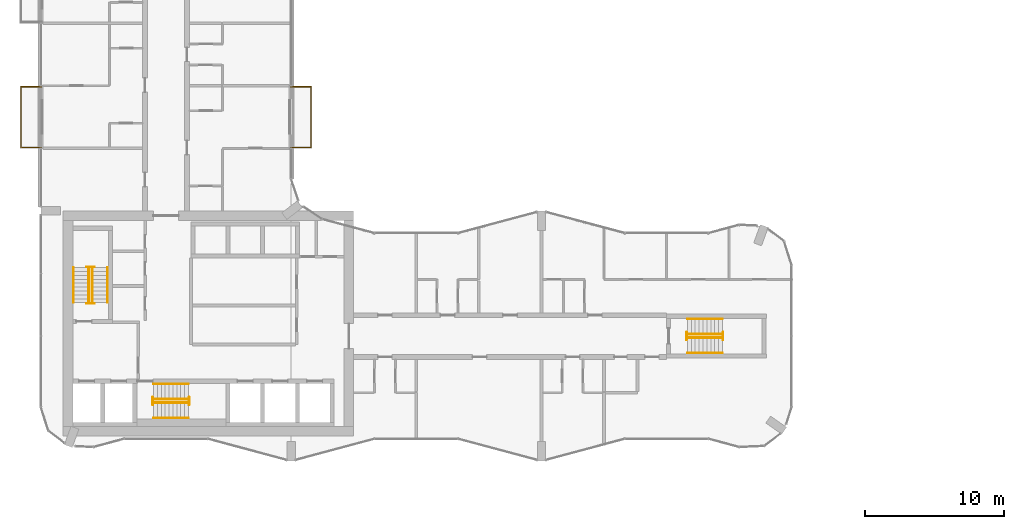
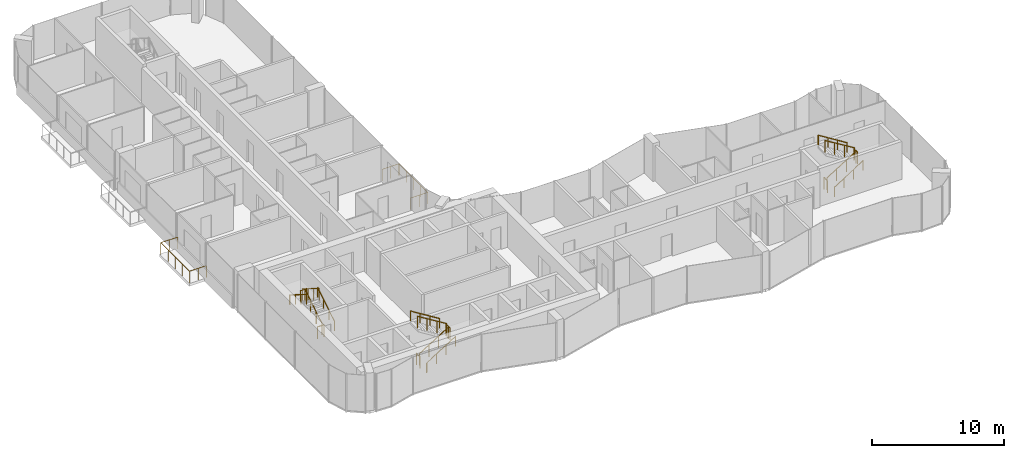
# One storey, part 20 of 22: 20 railings.
"""IFC4 building model written with IfcOpenShell, lengths in metres."""

from ifc_helpers import new_model, si_unit, direction, frame, origin, origin_2d, place, context, subcontext, project, spatial, circle, extrude, material, type_object, element, save


model = new_model("IFC4")

# Units and contexts
model_context = context("Model", 3, precision=1e-05, world=origin(), true_north=direction((0.0, 1.0)))
body_context = subcontext(model_context, "Body", "Model", "MODEL_VIEW")
ifc_project = project(units=[si_unit("LENGTHUNIT", "METRE"), si_unit("AREAUNIT", "SQUARE_METRE"), si_unit("VOLUMEUNIT", "CUBIC_METRE"), si_unit("PLANEANGLEUNIT", "RADIAN"), si_unit("MASSUNIT", "GRAM", prefix="KILO")], contexts=[model_context])

# Site, building, storey
site_placement = place(None, origin())
site = spatial("IfcSite", under=ifc_project, at=site_placement, CompositionType="ELEMENT")
building_placement = place(site_placement, origin())
building = spatial("IfcBuilding", under=site, at=building_placement, Name="Plateau Cross Towers", CompositionType="ELEMENT")
storey_placement = place(building_placement, frame((0.0, 0.0, 61.800048828125)))
storey = spatial("IfcBuildingStorey", under=building, at=storey_placement, Name="L15", CompositionType="ELEMENT", Elevation=61.800048828125)

# Railings
ifc_material_1 = material(Name="Stainless steel and toughened glass", Category="steel")
railing_type_1 = type_object("IfcRailingType", Name="Glass balustrade guard 1100", PredefinedType="GUARDRAIL", material=ifc_material_1)
railing_1_placement = place(storey_placement, frame((0.050048828125, 22.570068359375, 0.0)))
element("IfcRailing", 1, at=railing_1_placement, inside=storey, type_object=railing_type_1, Name="Guard guard1", PredefinedType="GUARDRAIL", context=body_context, shape_type="SweptSolid", body=[
    extrude(circle(Radius=0.02392578125, at=origin_2d()), frame((0.0, 0.0, 1.076171875), z_axis=(-1.0, 0.0, 0.0), x_axis=(0.0, -1.0, 0.0)), (0.0, 0.0, 1.0), 1.47998046875),
    extrude(circle(Radius=0.02392578125, at=origin_2d()), frame((-1.47998046875, 0.0, 1.076171875), z_axis=(0.0, 1.0, 0.0), x_axis=(-1.0, 0.0, 0.0)), (0.0, 0.0, 1.0), 4.35986328125),
    extrude(circle(Radius=0.02392578125, at=origin_2d()), frame((-1.47998046875, 4.35986328125, 1.076171875), z_axis=(1.0, 0.0, 0.0), x_axis=(0.0, 1.0, 0.0)), (0.0, 0.0, 1.0), 1.47998046875),
    extrude(circle(Radius=0.02099609375, at=origin_2d()), origin(), (0.0, 0.0, 1.0), 1.052001953125),
    extrude(circle(Radius=0.02099609375, at=origin_2d()), frame((-0.739990234375, 0.0, 0.0)), (0.0, 0.0, 1.0), 1.052001953125),
    extrude(circle(Radius=0.02099609375, at=origin_2d()), frame((-1.47998046875, 0.0, 0.0)), (0.0, 0.0, 1.0), 1.052001953125),
    extrude(circle(Radius=0.02099609375, at=origin_2d()), frame((-1.47998046875, 1.08984375, 0.0)), (0.0, 0.0, 1.0), 1.052001953125),
    extrude(circle(Radius=0.02099609375, at=origin_2d()), frame((-1.47998046875, 2.179931640625, 0.0)), (0.0, 0.0, 1.0), 1.052001953125),
    extrude(circle(Radius=0.02099609375, at=origin_2d()), frame((-1.47998046875, 3.27001953125, 0.0)), (0.0, 0.0, 1.0), 1.052001953125),
    extrude(circle(Radius=0.02099609375, at=origin_2d()), frame((-1.47998046875, 4.35986328125, 0.0)), (0.0, 0.0, 1.0), 1.052001953125),
    extrude(circle(Radius=0.02099609375, at=origin_2d()), frame((-0.739990234375, 4.35986328125, 0.0)), (0.0, 0.0, 1.0), 1.052001953125),
    extrude(circle(Radius=0.02099609375, at=origin_2d()), frame((0.0, 4.35986328125, 0.0)), (0.0, 0.0, 1.0), 1.052001953125),
])
railing_2_placement = place(storey_placement, frame((17.949951171875, 26.929931640625, 0.0)))
element("IfcRailing", 2, at=railing_2_placement, inside=storey, type_object=railing_type_1, Name="Guard guard1", PredefinedType="GUARDRAIL", context=body_context, shape_type="SweptSolid", body=[
    extrude(circle(Radius=0.02392578125, at=origin_2d()), frame((0.0, 0.0, 1.076171875), z_axis=(1.0, 0.0, 0.0), x_axis=(0.0, 1.0, 0.0)), (0.0, 0.0, 1.0), 1.47998046875),
    extrude(circle(Radius=0.02392578125, at=origin_2d()), frame((1.47998046875, 0.0, 1.076171875), z_axis=(0.0, -1.0, 0.0), x_axis=(1.0, 0.0, 0.0)), (0.0, 0.0, 1.0), 4.35986328125),
    extrude(circle(Radius=0.02392578125, at=origin_2d()), frame((1.47998046875, -4.35986328125, 1.076171875), z_axis=(-1.0, 0.0, 0.0), x_axis=(0.0, -1.0, 0.0)), (0.0, 0.0, 1.0), 1.47998046875),
    extrude(circle(Radius=0.02099609375, at=origin_2d()), origin(), (0.0, 0.0, 1.0), 1.052001953125),
    extrude(circle(Radius=0.02099609375, at=origin_2d()), frame((0.739990234375, 0.0, 0.0)), (0.0, 0.0, 1.0), 1.052001953125),
    extrude(circle(Radius=0.02099609375, at=origin_2d()), frame((1.47998046875, 0.0, 0.0)), (0.0, 0.0, 1.0), 1.052001953125),
    extrude(circle(Radius=0.02099609375, at=origin_2d()), frame((1.47998046875, -1.08984375, 0.0)), (0.0, 0.0, 1.0), 1.052001953125),
    extrude(circle(Radius=0.02099609375, at=origin_2d()), frame((1.47998046875, -2.179931640625, 0.0)), (0.0, 0.0, 1.0), 1.052001953125),
    extrude(circle(Radius=0.02099609375, at=origin_2d()), frame((1.47998046875, -3.27001953125, 0.0)), (0.0, 0.0, 1.0), 1.052001953125),
    extrude(circle(Radius=0.02099609375, at=origin_2d()), frame((1.47998046875, -4.35986328125, 0.0)), (0.0, 0.0, 1.0), 1.052001953125),
    extrude(circle(Radius=0.02099609375, at=origin_2d()), frame((0.739990234375, -4.35986328125, 0.0)), (0.0, 0.0, 1.0), 1.052001953125),
    extrude(circle(Radius=0.02099609375, at=origin_2d()), frame((0.0, -4.35986328125, 0.0)), (0.0, 0.0, 1.0), 1.052001953125),
])
railing_type_2 = type_object("IfcRailingType", Name="RL-GUARD-1100", PredefinedType="GUARDRAIL", material=ifc_material_1)
railing_3_placement = place(storey_placement, frame((3.699951171875, 11.39990234375, 0.175048828125)))
element("IfcRailing", 3, at=railing_3_placement, inside=storey, type_object=railing_type_2, Name="L15 ST-1 stair guard 1", PredefinedType="GUARDRAIL", context=body_context, shape_type="SweptSolid", body=[
    extrude(circle(Radius=0.02392578125, at=origin_2d()), frame((0.0, 0.0, 1.076171875), z_axis=(0.0, 0.848007534815, 0.529984170421), x_axis=(-1.0, 0.0, 0.0)), (0.0, 0.0, 1.0), 2.9716796875),
    extrude(circle(Radius=0.02099609375, at=origin_2d()), origin(), (0.0, 0.0, 1.0), 1.052001953125),
    extrude(circle(Radius=0.02099609375, at=origin_2d()), frame((0.0, 0.840087890625, 0.52490234375)), (0.0, 0.0, 1.0), 1.052001953125),
    extrude(circle(Radius=0.02099609375, at=origin_2d()), frame((0.0, 1.679931640625, 1.050048828125)), (0.0, 0.0, 1.0), 1.052001953125),
    extrude(circle(Radius=0.02099609375, at=origin_2d()), frame((0.0, 2.52001953125, 1.574951171875)), (0.0, 0.0, 1.0), 1.052001953125),
])
railing_4_placement = place(storey_placement, frame((3.85009765625, 13.969970703125, 1.75)))
element("IfcRailing", 4, at=railing_4_placement, inside=storey, type_object=railing_type_2, Name="L15 ST-1 stair guard 2", PredefinedType="GUARDRAIL", context=body_context, shape_type="SweptSolid", body=[
    extrude(circle(Radius=0.02392578125, at=origin_2d()), frame((0.0, 0.0, 1.076171875), z_axis=(-1.0, 0.0, 0.0), x_axis=(0.0, -1.0, 0.0)), (0.0, 0.0, 1.0), 0.550048828125),
    extrude(circle(Radius=0.02099609375, at=origin_2d()), origin(), (0.0, 0.0, 1.0), 1.052001953125),
    extrude(circle(Radius=0.02099609375, at=origin_2d()), frame((-0.550048828125, 0.0, 0.0)), (0.0, 0.0, 1.0), 1.052001953125),
])
railing_5_placement = place(storey_placement, frame((3.449951171875, 13.919921875, 1.925048828125)))
element("IfcRailing", 5, at=railing_5_placement, inside=storey, type_object=railing_type_2, Name="L15 ST-1 stair guard 3", PredefinedType="GUARDRAIL", context=body_context, shape_type="SweptSolid", body=[
    extrude(circle(Radius=0.02392578125, at=origin_2d()), frame((0.0, 0.0, 1.076171875), z_axis=(0.0, -0.852616386126, 0.522537365276), x_axis=(1.0, 0.0, 0.0)), (0.0, 0.0, 1.0), 3.01416015625),
    extrude(circle(Radius=0.02099609375, at=origin_2d()), origin(), (0.0, 0.0, 1.0), 1.052001953125),
    extrude(circle(Radius=0.02099609375, at=origin_2d()), frame((0.0, -0.856689453125, 0.52490234375)), (0.0, 0.0, 1.0), 1.052001953125),
    extrude(circle(Radius=0.02099609375, at=origin_2d()), frame((0.0, -1.713134765625, 1.050048828125)), (0.0, 0.0, 1.0), 1.052001953125),
    extrude(circle(Radius=0.02099609375, at=origin_2d()), frame((0.0, -2.56982421875, 1.574951171875)), (0.0, 0.0, 1.0), 1.052001953125),
])
railing_6_placement = place(storey_placement, frame((3.85009765625, 11.35009765625, 0.0)))
element("IfcRailing", 6, at=railing_6_placement, inside=storey, type_object=railing_type_2, Name="L15 ST-1 stair guard 4", PredefinedType="GUARDRAIL", context=body_context, shape_type="SweptSolid", body=[
    extrude(circle(Radius=0.02392578125, at=origin_2d()), frame((0.0, 0.0, 1.076171875), z_axis=(-1.0, 0.0, 0.0), x_axis=(0.0, -1.0, 0.0)), (0.0, 0.0, 1.0), 0.550048828125),
    extrude(circle(Radius=0.02099609375, at=origin_2d()), origin(), (0.0, 0.0, 1.0), 1.052001953125),
    extrude(circle(Radius=0.02099609375, at=origin_2d()), frame((-0.550048828125, 0.0, 0.0)), (0.0, 0.0, 1.0), 1.052001953125),
])
railing_7_placement = place(storey_placement, frame((8.10009765625, 4.199951171875, 0.175048828125)))
element("IfcRailing", 7, at=railing_7_placement, inside=storey, type_object=railing_type_2, Name="L15 ST-2 stair guard 1", PredefinedType="GUARDRAIL", context=body_context, shape_type="SweptSolid", body=[
    extrude(circle(Radius=0.02392578125, at=origin_2d()), frame((0.0, 0.0, 1.076171875), z_axis=(0.848007534815, 0.0, 0.529984170421), x_axis=(0.0, 1.0, 0.0)), (0.0, 0.0, 1.0), 2.9716796875),
    extrude(circle(Radius=0.02099609375, at=origin_2d()), origin(), (0.0, 0.0, 1.0), 1.052001953125),
    extrude(circle(Radius=0.02099609375, at=origin_2d()), frame((0.840087890625, 0.0, 0.52490234375)), (0.0, 0.0, 1.0), 1.052001953125),
    extrude(circle(Radius=0.02099609375, at=origin_2d()), frame((1.679931640625, 0.0, 1.050048828125)), (0.0, 0.0, 1.0), 1.052001953125),
    extrude(circle(Radius=0.02099609375, at=origin_2d()), frame((2.52001953125, 0.0, 1.574951171875)), (0.0, 0.0, 1.0), 1.052001953125),
])
railing_8_placement = place(storey_placement, frame((10.669921875, 4.050048828125, 1.75)))
element("IfcRailing", 8, at=railing_8_placement, inside=storey, type_object=railing_type_2, Name="L15 ST-2 stair guard 2", PredefinedType="GUARDRAIL", context=body_context, shape_type="SweptSolid", body=[
    extrude(circle(Radius=0.02392578125, at=origin_2d()), frame((0.0, 0.0, 1.076171875), z_axis=(0.0, 1.0, 0.0), x_axis=(-1.0, 0.0, 0.0)), (0.0, 0.0, 1.0), 0.550048828125),
    extrude(circle(Radius=0.02099609375, at=origin_2d()), origin(), (0.0, 0.0, 1.0), 1.052001953125),
    extrude(circle(Radius=0.02099609375, at=origin_2d()), frame((0.0, 0.550048828125, 0.0)), (0.0, 0.0, 1.0), 1.052001953125),
])
railing_9_placement = place(storey_placement, frame((10.6201171875, 4.449951171875, 1.925048828125)))
element("IfcRailing", 9, at=railing_9_placement, inside=storey, type_object=railing_type_2, Name="L15 ST-2 stair guard 3", PredefinedType="GUARDRAIL", context=body_context, shape_type="SweptSolid", body=[
    extrude(circle(Radius=0.02392578125, at=origin_2d()), frame((0.0, 0.0, 1.076171875), z_axis=(-0.852638500773, 0.0, 0.522501279423), x_axis=(0.0, -1.0, 0.0)), (0.0, 0.0, 1.0), 3.01416015625),
    extrude(circle(Radius=0.02099609375, at=origin_2d()), origin(), (0.0, 0.0, 1.0), 1.052001953125),
    extrude(circle(Radius=0.02099609375, at=origin_2d()), frame((-0.856689453125, 0.0, 0.52490234375)), (0.0, 0.0, 1.0), 1.052001953125),
    extrude(circle(Radius=0.02099609375, at=origin_2d()), frame((-1.71337890625, 0.0, 1.050048828125)), (0.0, 0.0, 1.0), 1.052001953125),
    extrude(circle(Radius=0.02099609375, at=origin_2d()), frame((-2.570068359375, 0.0, 1.574951171875)), (0.0, 0.0, 1.0), 1.052001953125),
])
railing_10_placement = place(storey_placement, frame((8.050048828125, 4.050048828125, 0.0)))
element("IfcRailing", 10, at=railing_10_placement, inside=storey, type_object=railing_type_2, Name="L15 ST-2 stair guard 4", PredefinedType="GUARDRAIL", context=body_context, shape_type="SweptSolid", body=[
    extrude(circle(Radius=0.02392578125, at=origin_2d()), frame((0.0, 0.0, 1.076171875), z_axis=(0.0, 1.0, 0.0), x_axis=(-1.0, 0.0, 0.0)), (0.0, 0.0, 1.0), 0.550048828125),
    extrude(circle(Radius=0.02099609375, at=origin_2d()), origin(), (0.0, 0.0, 1.0), 1.052001953125),
    extrude(circle(Radius=0.02099609375, at=origin_2d()), frame((0.0, 0.550048828125, 0.0)), (0.0, 0.0, 1.0), 1.052001953125),
])
railing_11_placement = place(storey_placement, frame((46.5, 8.875, 0.175048828125)))
element("IfcRailing", 11, at=railing_11_placement, inside=storey, type_object=railing_type_2, Name="L15 ES-E stair guard 1", PredefinedType="GUARDRAIL", context=body_context, shape_type="SweptSolid", body=[
    extrude(circle(Radius=0.02392578125, at=origin_2d()), frame((0.0, 0.0, 1.076171875), z_axis=(0.848007534815, 0.0, 0.529984170421), x_axis=(0.0, 1.0, 0.0)), (0.0, 0.0, 1.0), 2.9716796875),
    extrude(circle(Radius=0.02099609375, at=origin_2d()), origin(), (0.0, 0.0, 1.0), 1.052001953125),
    extrude(circle(Radius=0.02099609375, at=origin_2d()), frame((0.840087890625, 0.0, 0.52490234375)), (0.0, 0.0, 1.0), 1.052001953125),
    extrude(circle(Radius=0.02099609375, at=origin_2d()), frame((1.679931640625, 0.0, 1.050048828125)), (0.0, 0.0, 1.0), 1.052001953125),
    extrude(circle(Radius=0.02099609375, at=origin_2d()), frame((2.52001953125, 0.0, 1.574951171875)), (0.0, 0.0, 1.0), 1.052001953125),
])
railing_12_placement = place(storey_placement, frame((49.070068359375, 8.72509765625, 1.75)))
element("IfcRailing", 12, at=railing_12_placement, inside=storey, type_object=railing_type_2, Name="L15 ES-E stair guard 2", PredefinedType="GUARDRAIL", context=body_context, shape_type="SweptSolid", body=[
    extrude(circle(Radius=0.02392578125, at=origin_2d()), frame((0.0, 0.0, 1.076171875), z_axis=(0.0, 1.0, 0.0), x_axis=(-1.0, 0.0, 0.0)), (0.0, 0.0, 1.0), 0.5498046875),
    extrude(circle(Radius=0.02099609375, at=origin_2d()), origin(), (0.0, 0.0, 1.0), 1.052001953125),
    extrude(circle(Radius=0.02099609375, at=origin_2d()), frame((0.0, 0.5498046875, 0.0)), (0.0, 0.0, 1.0), 1.052001953125),
])
railing_13_placement = place(storey_placement, frame((49.02001953125, 9.125, 1.925048828125)))
element("IfcRailing", 13, at=railing_13_placement, inside=storey, type_object=railing_type_2, Name="L15 ES-E stair guard 3", PredefinedType="GUARDRAIL", context=body_context, shape_type="SweptSolid", body=[
    extrude(circle(Radius=0.02392578125, at=origin_2d()), frame((0.0, 0.0, 1.076171875), z_axis=(-0.852638500773, 0.0, 0.522501279423), x_axis=(0.0, -1.0, 0.0)), (0.0, 0.0, 1.0), 3.01416015625),
    extrude(circle(Radius=0.02099609375, at=origin_2d()), origin(), (0.0, 0.0, 1.0), 1.052001953125),
    extrude(circle(Radius=0.02099609375, at=origin_2d()), frame((-0.856689453125, 0.0, 0.52490234375)), (0.0, 0.0, 1.0), 1.052001953125),
    extrude(circle(Radius=0.02099609375, at=origin_2d()), frame((-1.71337890625, 0.0, 1.050048828125)), (0.0, 0.0, 1.0), 1.052001953125),
    extrude(circle(Radius=0.02099609375, at=origin_2d()), frame((-2.570068359375, 0.0, 1.574951171875)), (0.0, 0.0, 1.0), 1.052001953125),
])
railing_14_placement = place(storey_placement, frame((46.449951171875, 8.72509765625, 0.0)))
element("IfcRailing", 14, at=railing_14_placement, inside=storey, type_object=railing_type_2, Name="L15 ES-E stair guard 4", PredefinedType="GUARDRAIL", context=body_context, shape_type="SweptSolid", body=[
    extrude(circle(Radius=0.02392578125, at=origin_2d()), frame((0.0, 0.0, 1.076171875), z_axis=(0.0, 1.0, 0.0), x_axis=(-1.0, 0.0, 0.0)), (0.0, 0.0, 1.0), 0.5498046875),
    extrude(circle(Radius=0.02099609375, at=origin_2d()), origin(), (0.0, 0.0, 1.0), 1.052001953125),
    extrude(circle(Radius=0.02099609375, at=origin_2d()), frame((0.0, 0.5498046875, 0.0)), (0.0, 0.0, 1.0), 1.052001953125),
])
ifc_material_2 = material(Name="Black anodised aluminium", Category="aluminium")
railing_type_3 = type_object("IfcRailingType", Name="RL-HANDRAIL-900", PredefinedType="HANDRAIL", material=ifc_material_2)
railing_15_placement = place(storey_placement, frame((4.800048828125, 11.39990234375, 0.175048828125)))
element("IfcRailing", 15, at=railing_15_placement, inside=storey, type_object=railing_type_3, Name="L15 ST-1 stair handrail 1", PredefinedType="HANDRAIL", context=body_context, shape_type="SweptSolid", body=[
    extrude(circle(Radius=0.02392578125, at=origin_2d()), frame((0.0, 0.0, 0.8759765625), z_axis=(0.0, 0.848007534815, 0.529984170421), x_axis=(-1.0, 0.0, 0.0)), (0.0, 0.0, 1.0), 2.9716796875),
    extrude(circle(Radius=0.02099609375, at=origin_2d()), origin(), (0.0, 0.0, 1.0), 0.851806640625),
    extrude(circle(Radius=0.02099609375, at=origin_2d()), frame((0.0, 0.840087890625, 0.52490234375)), (0.0, 0.0, 1.0), 0.851806640625),
    extrude(circle(Radius=0.02099609375, at=origin_2d()), frame((0.0, 1.679931640625, 1.050048828125)), (0.0, 0.0, 1.0), 0.851806640625),
    extrude(circle(Radius=0.02099609375, at=origin_2d()), frame((0.0, 2.52001953125, 1.574951171875)), (0.0, 0.0, 1.0), 0.851806640625),
])
railing_16_placement = place(storey_placement, frame((2.35009765625, 13.919921875, 1.925048828125)))
element("IfcRailing", 16, at=railing_16_placement, inside=storey, type_object=railing_type_3, Name="L15 ST-1 stair handrail 2", PredefinedType="HANDRAIL", context=body_context, shape_type="SweptSolid", body=[
    extrude(circle(Radius=0.02392578125, at=origin_2d()), frame((0.0, 0.0, 0.8759765625), z_axis=(0.0, -0.848007534815, 0.529984170421), x_axis=(1.0, 0.0, 0.0)), (0.0, 0.0, 1.0), 2.9716796875),
    extrude(circle(Radius=0.02099609375, at=origin_2d()), origin(), (0.0, 0.0, 1.0), 0.851806640625),
    extrude(circle(Radius=0.02099609375, at=origin_2d()), frame((0.0, -0.840087890625, 0.52490234375)), (0.0, 0.0, 1.0), 0.851806640625),
    extrude(circle(Radius=0.02099609375, at=origin_2d()), frame((0.0, -1.679931640625, 1.050048828125)), (0.0, 0.0, 1.0), 0.851806640625),
    extrude(circle(Radius=0.02099609375, at=origin_2d()), frame((0.0, -2.52001953125, 1.574951171875)), (0.0, 0.0, 1.0), 0.851806640625),
])
railing_17_placement = place(storey_placement, frame((8.10009765625, 3.10009765625, 0.175048828125)))
element("IfcRailing", 17, at=railing_17_placement, inside=storey, type_object=railing_type_3, Name="L15 ST-2 stair handrail 1", PredefinedType="HANDRAIL", context=body_context, shape_type="SweptSolid", body=[
    extrude(circle(Radius=0.02392578125, at=origin_2d()), frame((0.0, 0.0, 0.8759765625), z_axis=(0.848007534815, 0.0, 0.529984170421), x_axis=(0.0, 1.0, 0.0)), (0.0, 0.0, 1.0), 2.9716796875),
    extrude(circle(Radius=0.02099609375, at=origin_2d()), origin(), (0.0, 0.0, 1.0), 0.851806640625),
    extrude(circle(Radius=0.02099609375, at=origin_2d()), frame((0.840087890625, 0.0, 0.52490234375)), (0.0, 0.0, 1.0), 0.851806640625),
    extrude(circle(Radius=0.02099609375, at=origin_2d()), frame((1.679931640625, 0.0, 1.050048828125)), (0.0, 0.0, 1.0), 0.851806640625),
    extrude(circle(Radius=0.02099609375, at=origin_2d()), frame((2.52001953125, 0.0, 1.574951171875)), (0.0, 0.0, 1.0), 0.851806640625),
])
railing_18_placement = place(storey_placement, frame((10.6201171875, 5.550048828125, 1.925048828125)))
element("IfcRailing", 18, at=railing_18_placement, inside=storey, type_object=railing_type_3, Name="L15 ST-2 stair handrail 2", PredefinedType="HANDRAIL", context=body_context, shape_type="SweptSolid", body=[
    extrude(circle(Radius=0.02392578125, at=origin_2d()), frame((0.0, 0.0, 0.8759765625), z_axis=(-0.848007534815, 0.0, 0.529984170421), x_axis=(0.0, -1.0, 0.0)), (0.0, 0.0, 1.0), 2.9716796875),
    extrude(circle(Radius=0.02099609375, at=origin_2d()), origin(), (0.0, 0.0, 1.0), 0.851806640625),
    extrude(circle(Radius=0.02099609375, at=origin_2d()), frame((-0.840087890625, 0.0, 0.52490234375)), (0.0, 0.0, 1.0), 0.851806640625),
    extrude(circle(Radius=0.02099609375, at=origin_2d()), frame((-1.679931640625, 0.0, 1.050048828125)), (0.0, 0.0, 1.0), 0.851806640625),
    extrude(circle(Radius=0.02099609375, at=origin_2d()), frame((-2.52001953125, 0.0, 1.574951171875)), (0.0, 0.0, 1.0), 0.851806640625),
])
railing_19_placement = place(storey_placement, frame((46.5, 7.77490234375, 0.175048828125)))
element("IfcRailing", 19, at=railing_19_placement, inside=storey, type_object=railing_type_3, Name="L15 ES-E stair handrail 1", PredefinedType="HANDRAIL", context=body_context, shape_type="SweptSolid", body=[
    extrude(circle(Radius=0.02392578125, at=origin_2d()), frame((0.0, 0.0, 0.8759765625), z_axis=(0.848007534815, 0.0, 0.529984170421), x_axis=(0.0, 1.0, 0.0)), (0.0, 0.0, 1.0), 2.9716796875),
    extrude(circle(Radius=0.02099609375, at=origin_2d()), origin(), (0.0, 0.0, 1.0), 0.851806640625),
    extrude(circle(Radius=0.02099609375, at=origin_2d()), frame((0.840087890625, 0.0, 0.52490234375)), (0.0, 0.0, 1.0), 0.851806640625),
    extrude(circle(Radius=0.02099609375, at=origin_2d()), frame((1.679931640625, 0.0, 1.050048828125)), (0.0, 0.0, 1.0), 0.851806640625),
    extrude(circle(Radius=0.02099609375, at=origin_2d()), frame((2.52001953125, 0.0, 1.574951171875)), (0.0, 0.0, 1.0), 0.851806640625),
])
railing_20_placement = place(storey_placement, frame((49.02001953125, 10.22509765625, 1.925048828125)))
element("IfcRailing", 20, at=railing_20_placement, inside=storey, type_object=railing_type_3, Name="L15 ES-E stair handrail 2", PredefinedType="HANDRAIL", context=body_context, shape_type="SweptSolid", body=[
    extrude(circle(Radius=0.02392578125, at=origin_2d()), frame((0.0, 0.0, 0.8759765625), z_axis=(-0.848007534815, 0.0, 0.529984170421), x_axis=(0.0, -1.0, 0.0)), (0.0, 0.0, 1.0), 2.9716796875),
    extrude(circle(Radius=0.02099609375, at=origin_2d()), origin(), (0.0, 0.0, 1.0), 0.851806640625),
    extrude(circle(Radius=0.02099609375, at=origin_2d()), frame((-0.840087890625, 0.0, 0.52490234375)), (0.0, 0.0, 1.0), 0.851806640625),
    extrude(circle(Radius=0.02099609375, at=origin_2d()), frame((-1.679931640625, 0.0, 1.050048828125)), (0.0, 0.0, 1.0), 0.851806640625),
    extrude(circle(Radius=0.02099609375, at=origin_2d()), frame((-2.52001953125, 0.0, 1.574951171875)), (0.0, 0.0, 1.0), 0.851806640625),
])

save(model, "model.ifc")
